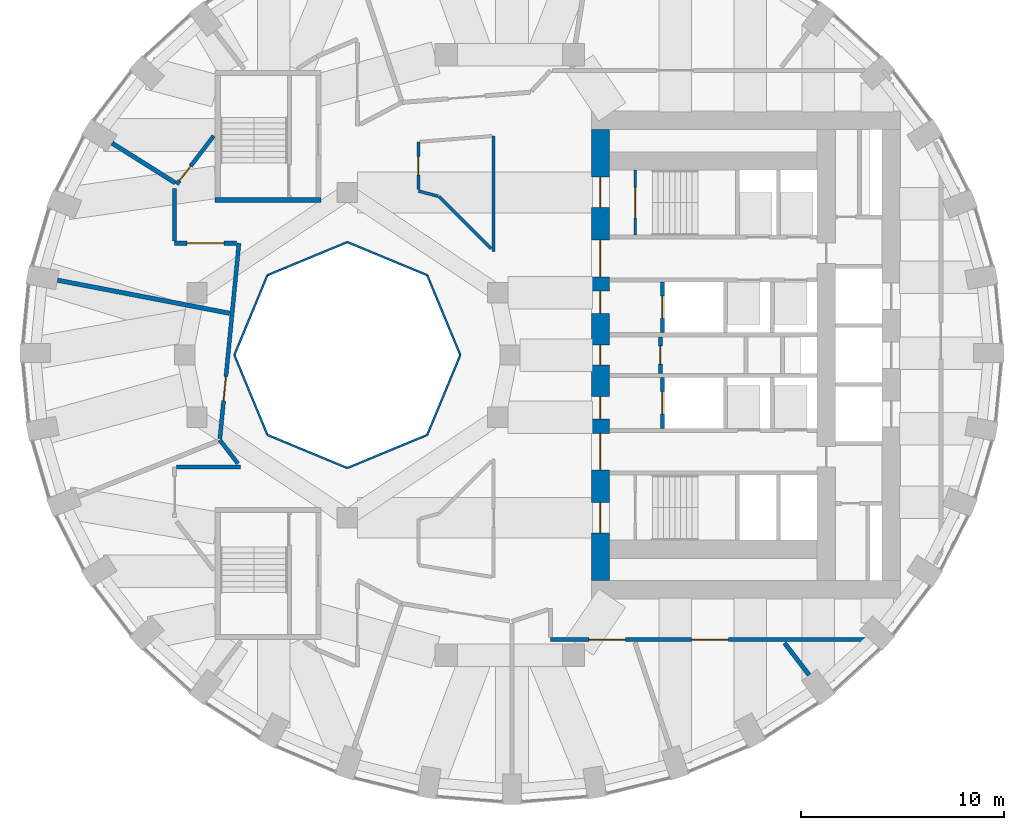
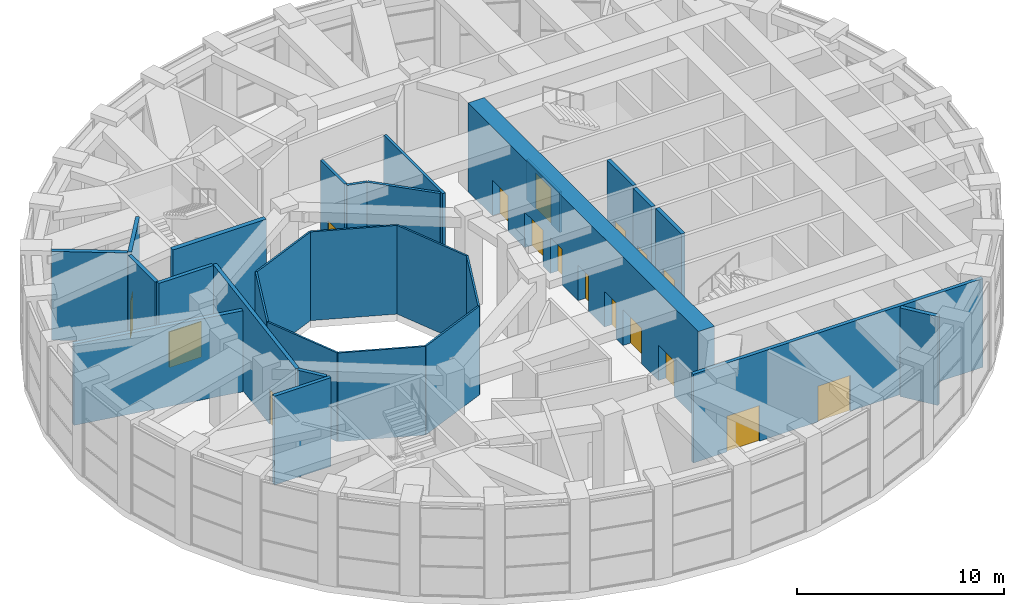
# One storey, part 12 of 17: 28 walls, 17 doors, 17 openings.
"""IFC4 building model written with IfcOpenShell, lengths in metres."""

from ifc_helpers import new_model, si_unit, direction, frame, frame_2d, origin, place, context, subcontext, project, spatial, rectangle, extrude, material, layer, layer_set, type_object, element, fill, save


model = new_model("IFC4")

# Units and contexts
model_context = context("Model", 3, precision=1e-05, world=origin(), true_north=direction((0.0, 1.0)))
body_context = subcontext(model_context, "Body", "Model", "MODEL_VIEW")
ifc_project = project(units=[si_unit("LENGTHUNIT", "METRE"), si_unit("AREAUNIT", "SQUARE_METRE"), si_unit("VOLUMEUNIT", "CUBIC_METRE"), si_unit("PLANEANGLEUNIT", "RADIAN"), si_unit("MASSUNIT", "GRAM", prefix="KILO")], contexts=[model_context])

# Site, building, storey
site_placement = place(None, origin())
site = spatial("IfcSite", under=ifc_project, at=site_placement, CompositionType="ELEMENT")
building_placement = place(site_placement, origin())
building = spatial("IfcBuilding", under=site, at=building_placement, Name="Taillehof Tower", CompositionType="ELEMENT")
storey_placement = place(building_placement, frame((0.0, 0.0, 139.60009765625)))
storey = spatial("IfcBuildingStorey", under=building, at=storey_placement, Name="L39", CompositionType="ELEMENT", Elevation=139.60009765625)

# Walls
ifc_material_1 = material(Name="Fire-resisting glass in steel frame", Category="steel")
ifc_layer_1 = layer(ifc_material_1, 0.10009765625)
ifc_layer_set_1 = layer_set([ifc_layer_1], Name="Atrium fire-resisting screen EI 60 100")
wall_type_1 = type_object("IfcWallType", Name="Atrium fire-resisting screen EI 60 100", PredefinedType="PARTITIONING", material=ifc_layer_set_1)
for number, where, z_axis, x_axis, name in (
    (1, (-2.44580078125, 0.0, 0.0), (0.0, 0.0, 1.0), (-0.382730523909, -0.923860025149, 0.0), "Atrium screen"),
    (2, (-4.07275390625, -3.92724609375, 0.0), (0.0, 0.0, 1.0), (-0.923860025149, -0.382730523909, 0.0), "Atrium screen"),
    (3, (-8.0, -5.55419921875, 0.0), (0.0, 0.0, 1.0), (-0.923860025149, 0.382730523909, 0.0), "Atrium screen"),
    (4, (-11.92724609375, -3.92724609375, 0.0), (0.0, 0.0, 1.0), (-0.382730523909, 0.923860025149, 0.0), "Atrium screen"),
    (5, (-13.55419921875, 0.0, 0.0), (0.0, 0.0, 1.0), (0.382730523909, 0.923860025149, 0.0), "Atrium screen"),
    (6, (-11.92724609375, 3.92724609375, 0.0), (0.0, 0.0, 1.0), (0.923860025149, 0.382730523909, 0.0), "Atrium screen"),
    (7, (-8.0, 5.55419921875, 0.0), (0.0, 0.0, 1.0), (0.923860025149, -0.382730523909, 0.0), "Atrium screen"),
    (8, (-4.07275390625, 3.92724609375, 0.0), (0.0, 0.0, 1.0), (0.382730523909, -0.923860025149, 0.0), "Atrium screen"),
):
    element("IfcWall", number, at=place(storey_placement, frame(where, z_axis=z_axis, x_axis=x_axis)), inside=storey, type_object=wall_type_1, Name=name, PredefinedType="PARTITIONING", context=body_context, shape_type="SweptSolid", body=[
        extrude(rectangle(XDim=4.2509765625, YDim=0.10009765625, at=frame_2d((2.12548828125, 0.0))), origin(), (0.0, 0.0, 1.0), 5.219970703125),
    ])

# Wall, opening, door
ifc_material_2 = material(Name="Calcium silicate masonry", Category="masonry")
ifc_layer_2 = layer(ifc_material_2, 0.199951171875)
ifc_layer_set_2 = layer_set([ifc_layer_2], Name="Compartment wall calcium silicate 200")
wall_type_2 = type_object("IfcWallType", Name="Compartment wall calcium silicate 200", PredefinedType="PARTITIONING", material=ifc_layer_set_2)
wall_1_placement = place(storey_placement, frame((7.39990234375, -0.89990234375, 0.0), z_axis=(0.0, 0.0, 1.0), x_axis=(0.0, 1.0, 0.0)))
wall_1 = element("IfcWall", 9, at=wall_1_placement, inside=storey, type_object=wall_type_2, Name="Compartment wall FW", PredefinedType="PARTITIONING", context=body_context, shape_type="SweptSolid", body=[
    extrude(rectangle(XDim=1.7998046875, YDim=0.199951171875, at=frame_2d((0.89990234375, 0.0))), origin(), (0.0, 0.0, 1.0), 5.219970703125),
])
opening_1_placement = place(wall_1_placement, frame((0.449951171875, 0.0, 0.0)))
opening_1 = element("IfcOpeningElement", 10, at=opening_1_placement, cuts=wall_1, Name="Opening D3912", PredefinedType="OPENING", context=body_context, shape_type="SweptSolid", body=[
    extrude(rectangle(XDim=0.89990234375, YDim=2.10009765625, at=frame_2d((0.449951171875, 1.050048828125))), frame((0.0, 0.10986328125, 0.0), z_axis=(0.0, -1.0, 0.0), x_axis=(1.0, 0.0, 0.0)), (0.0, 0.0, 1.0), 0.219970703125),
])
ifc_material_3 = material(Name="Steel-faced fire door", Category="steel")
door_type_1 = type_object("IfcDoorType", Name="Riser and service room door 900x2100", OperationType="SINGLE_SWING_LEFT", PredefinedType="DOOR", material=ifc_material_3)
door_1_placement = place(opening_1_placement, origin())
door_1 = element("IfcDoor", 11, at=door_1_placement, inside=storey, type_object=door_type_1, Name="Door Electrical Room", OperationType="SINGLE_SWING_RIGHT", OverallHeight=2.10009765625, OverallWidth=0.89990234375, PredefinedType="DOOR", context=body_context, shape_type="SweptSolid", body=[
    extrude(rectangle(XDim=0.89990234375, YDim=2.10009765625, at=frame_2d((0.449951171875, 1.050048828125))), frame((0.0, 0.02490234375, 0.0), z_axis=(0.0, -1.0, 0.0), x_axis=(1.0, 0.0, 0.0)), (0.0, 0.0, 1.0), 0.050048828125),
])
fill(opening_1, door_1)

# Walls
ifc_material_4 = material(Name="Gypsum board on steel studs, two layers each side", Category="steel")
ifc_layer_3 = layer(ifc_material_4, 0.199951171875)
ifc_layer_set_3 = layer_set([ifc_layer_3], Name="Compartment wall corridor 200")
wall_type_3 = type_object("IfcWallType", Name="Compartment wall corridor 200", PredefinedType="PARTITIONING", material=ifc_layer_set_3)
wall_2_placement = place(storey_placement, frame((-16.39990234375, -5.5, 0.0), z_axis=(0.0, 0.0, 1.0), x_axis=(1.0, 0.0, 0.0)))
element("IfcWall", 12, at=wall_2_placement, inside=storey, type_object=wall_type_3, Name="Compartment wall", PredefinedType="PARTITIONING", context=body_context, shape_type="SweptSolid", body=[
    extrude(rectangle(XDim=3.1455078125, YDim=0.199951171875, at=frame_2d((1.57275390625, 0.0))), origin(), (0.0, 0.0, 1.0), 5.219970703125),
])
wall_3_placement = place(storey_placement, frame((-13.37646484375, -5.34130859375, 0.0), z_axis=(0.0, 0.0, 1.0), x_axis=(-0.609870929466, 0.792500756714, 0.0)))
element("IfcWall", 13, at=wall_3_placement, inside=storey, type_object=wall_type_3, Name="Compartment wall", PredefinedType="PARTITIONING", context=body_context, shape_type="SweptSolid", body=[
    extrude(rectangle(XDim=1.47314453125, YDim=0.199951171875, at=frame_2d((0.736572265625, 0.0))), origin(), (0.0, 0.0, 1.0), 5.219970703125),
])

# Wall, opening, door
wall_4_placement = place(storey_placement, frame((-14.26904296875, -4.11376953125, 0.0), z_axis=(0.0, 0.0, 1.0), x_axis=(0.097281322051, 0.995256923804, 0.0)))
wall_4 = element("IfcWall", 14, at=wall_4_placement, inside=storey, type_object=wall_type_3, Name="Compartment wall", PredefinedType="PARTITIONING", context=body_context, shape_type="SweptSolid", body=[
    extrude(rectangle(XDim=9.65966796875, YDim=0.199951171875, at=frame_2d((4.829833984375, 0.0))), origin(), (0.0, 0.0, 1.0), 5.219970703125),
])
opening_2_placement = place(wall_4_placement, frame((1.872802734375, 0.0, 0.0)))
opening_2 = element("IfcOpeningElement", 15, at=opening_2_placement, cuts=wall_4, Name="Opening D3945", PredefinedType="OPENING", context=body_context, shape_type="SweptSolid", body=[
    extrude(rectangle(XDim=1.199951171875, YDim=2.10009765625, at=frame_2d((0.60009765625, 1.050048828125))), frame((0.0, 0.10986328125, 0.0), z_axis=(0.0, -1.0, 0.0), x_axis=(1.0, 0.0, 0.0)), (0.0, 0.0, 1.0), 0.219970703125),
])
ifc_material_5 = material(Name="Timber door leaf in steel frame", Category="steel")
door_type_2 = type_object("IfcDoorType", Name="Suite entrance door EI 30 1200 x 2100", OperationType="SINGLE_SWING_LEFT", PredefinedType="DOOR", material=ifc_material_5)
door_2_placement = place(opening_2_placement, origin())
door_2 = element("IfcDoor", 16, at=door_2_placement, inside=storey, type_object=door_type_2, Name="D3945", OperationType="SINGLE_SWING_RIGHT", OverallHeight=2.10009765625, OverallWidth=1.199951171875, PredefinedType="DOOR", context=body_context, shape_type="SweptSolid", body=[
    extrude(rectangle(XDim=1.199951171875, YDim=2.10009765625, at=frame_2d((0.60009765625, 1.050048828125))), frame((0.0, 0.02490234375, 0.0), z_axis=(0.0, -1.0, 0.0), x_axis=(1.0, 0.0, 0.0)), (0.0, 0.0, 1.0), 0.050048828125),
])
fill(opening_2, door_2)

wall_5_placement = place(storey_placement, frame((-13.449462890625, 5.5, 0.0), z_axis=(0.0, 0.0, 1.0), x_axis=(-1.0, 0.0, 0.0)))
wall_5 = element("IfcWall", 17, at=wall_5_placement, inside=storey, type_object=wall_type_3, Name="Compartment wall", PredefinedType="PARTITIONING", context=body_context, shape_type="SweptSolid", body=[
    extrude(rectangle(XDim=3.050537109375, YDim=0.199951171875, at=frame_2d((1.525390625, 0.0))), origin(), (0.0, 0.0, 1.0), 5.219970703125),
])
opening_3_placement = place(wall_5_placement, frame((0.625244140625, 0.0, 0.0)))
opening_3 = element("IfcOpeningElement", 18, at=opening_3_placement, cuts=wall_5, Name="Opening D3944", PredefinedType="OPENING", context=body_context, shape_type="SweptSolid", body=[
    extrude(rectangle(XDim=1.800048828125, YDim=2.10009765625, at=frame_2d((0.89990234375, 1.050048828125))), frame((0.0, 0.10986328125, 0.0), z_axis=(0.0, -1.0, 0.0), x_axis=(1.0, 0.0, 0.0)), (0.0, 0.0, 1.0), 0.219970703125),
])
ifc_material_6 = material(Name="Timber door leaf in steel frame", Category="steel")
door_type_3 = type_object("IfcDoorType", Name="Lounge and meeting room double door EI 30 1800 x 2100", OperationType="SINGLE_SWING_LEFT", PredefinedType="DOOR", material=ifc_material_6)
door_3_placement = place(opening_3_placement, origin())
door_3 = element("IfcDoor", 19, at=door_3_placement, inside=storey, type_object=door_type_3, Name="D3944", OperationType="DOUBLE_DOOR_SINGLE_SWING", OverallHeight=2.10009765625, OverallWidth=1.800048828125, PredefinedType="DOOR", context=body_context, shape_type="SweptSolid", body=[
    extrude(rectangle(XDim=1.800048828125, YDim=2.10009765625, at=frame_2d((0.89990234375, 1.050048828125))), frame((0.0, 0.02490234375, 0.0), z_axis=(0.0, -1.0, 0.0), x_axis=(1.0, 0.0, 0.0)), (0.0, 0.0, 1.0), 0.050048828125),
])
fill(opening_3, door_3)

# Wall
wall_6_placement = place(storey_placement, frame((-16.5, 5.60009765625, 0.0), z_axis=(0.0, 0.0, 1.0), x_axis=(0.0, 1.0, 0.0)))
element("IfcWall", 20, at=wall_6_placement, inside=storey, type_object=wall_type_3, Name="Compartment wall", PredefinedType="PARTITIONING", context=body_context, shape_type="SweptSolid", body=[
    extrude(rectangle(XDim=2.5869140625, YDim=0.199951171875, at=frame_2d((1.29345703125, 0.0))), origin(), (0.0, 0.0, 1.0), 5.219970703125),
])

# Wall, opening, door
wall_7_placement = place(storey_placement, frame((-16.39453125, 8.394775390625, 0.0), z_axis=(0.0, 0.0, 1.0), x_axis=(0.606773437409, 0.794874830181, 0.0)))
wall_7 = element("IfcWall", 21, at=wall_7_placement, inside=storey, type_object=wall_type_3, Name="Compartment wall", PredefinedType="PARTITIONING", context=body_context, shape_type="SweptSolid", body=[
    extrude(rectangle(XDim=3.000732421875, YDim=0.199951171875, at=frame_2d((1.50048828125, 0.0))), origin(), (0.0, 0.0, 1.0), 5.219970703125),
])
opening_4_placement = place(wall_7_placement, frame((0.235595703125, 0.0, 0.0)))
opening_4 = element("IfcOpeningElement", 22, at=opening_4_placement, cuts=wall_7, Name="Opening D3943", PredefinedType="OPENING", context=body_context, shape_type="SweptSolid", body=[
    extrude(rectangle(XDim=0.89990234375, YDim=2.10009765625, at=frame_2d((0.449951171875, 1.050048828125))), frame((0.0, 0.10986328125, 0.0), z_axis=(0.0, -1.0, 0.0), x_axis=(1.0, 0.0, 0.0)), (0.0, 0.0, 1.0), 0.219970703125),
])
ifc_material_7 = material(Name="Timber door leaf in steel frame", Category="steel")
door_type_4 = type_object("IfcDoorType", Name="Service room door EI 30 900 x 2100", OperationType="SINGLE_SWING_LEFT", PredefinedType="DOOR", material=ifc_material_7)
door_4_placement = place(opening_4_placement, origin())
door_4 = element("IfcDoor", 23, at=door_4_placement, inside=storey, type_object=door_type_4, Name="D3943", OperationType="SINGLE_SWING_LEFT", OverallHeight=2.10009765625, OverallWidth=0.89990234375, PredefinedType="DOOR", context=body_context, shape_type="SweptSolid", body=[
    extrude(rectangle(XDim=0.89990234375, YDim=2.10009765625, at=frame_2d((0.449951171875, 1.050048828125))), frame((0.0, 0.02490234375, 0.0), z_axis=(0.0, -1.0, 0.0), x_axis=(1.0, 0.0, 0.0)), (0.0, 0.0, 1.0), 0.050048828125),
])
fill(opening_4, door_4)

# Wall, openings, doors
wall_8_placement = place(storey_placement, frame((18.128173828125, -14.0, 0.0), z_axis=(0.0, 0.0, 1.0), x_axis=(-1.0, 0.0, 0.0)))
wall_8 = element("IfcWall", 24, at=wall_8_placement, inside=storey, type_object=wall_type_3, Name="Compartment wall", PredefinedType="PARTITIONING", context=body_context, shape_type="SweptSolid", body=[
    extrude(rectangle(XDim=16.128173828125, YDim=0.199951171875, at=frame_2d((8.06396484375, 0.0))), origin(), (0.0, 0.0, 1.0), 5.219970703125),
])
opening_5_placement = place(wall_8_placement, frame((12.447021484375, 0.0, 0.0)))
opening_5 = element("IfcOpeningElement", 25, at=opening_5_placement, cuts=wall_8, Name="Opening D3949", PredefinedType="OPENING", context=body_context, shape_type="SweptSolid", body=[
    extrude(rectangle(XDim=1.800048828125, YDim=2.10009765625, at=frame_2d((0.89990234375, 1.050048828125))), frame((0.0, 0.10986328125, 0.0), z_axis=(0.0, -1.0, 0.0), x_axis=(1.0, 0.0, 0.0)), (0.0, 0.0, 1.0), 0.219970703125),
])
opening_6_placement = place(wall_8_placement, frame((7.387451171875, 0.0, 0.0)))
opening_6 = element("IfcOpeningElement", 26, at=opening_6_placement, cuts=wall_8, Name="Opening D3950", PredefinedType="OPENING", context=body_context, shape_type="SweptSolid", body=[
    extrude(rectangle(XDim=1.800048828125, YDim=2.10009765625, at=frame_2d((0.89990234375, 1.050048828125))), frame((0.0, 0.10986328125, 0.0), z_axis=(0.0, -1.0, 0.0), x_axis=(1.0, 0.0, 0.0)), (0.0, 0.0, 1.0), 0.219970703125),
])
door_5_placement = place(opening_5_placement, origin())
door_5 = element("IfcDoor", 27, at=door_5_placement, inside=storey, type_object=door_type_3, Name="D3949", OperationType="DOUBLE_DOOR_SINGLE_SWING", OverallHeight=2.10009765625, OverallWidth=1.800048828125, PredefinedType="DOOR", context=body_context, shape_type="SweptSolid", body=[
    extrude(rectangle(XDim=1.800048828125, YDim=2.10009765625, at=frame_2d((0.89990234375, 1.050048828125))), frame((0.0, 0.02490234375, 0.0), z_axis=(0.0, -1.0, 0.0), x_axis=(1.0, 0.0, 0.0)), (0.0, 0.0, 1.0), 0.050048828125),
])
fill(opening_5, door_5)
door_6_placement = place(opening_6_placement, origin())
door_6 = element("IfcDoor", 28, at=door_6_placement, inside=storey, type_object=door_type_3, Name="D3950", OperationType="DOUBLE_DOOR_SINGLE_SWING", OverallHeight=2.10009765625, OverallWidth=1.800048828125, PredefinedType="DOOR", context=body_context, shape_type="SweptSolid", body=[
    extrude(rectangle(XDim=1.800048828125, YDim=2.10009765625, at=frame_2d((0.89990234375, 1.050048828125))), frame((0.0, 0.02490234375, 0.0), z_axis=(0.0, -1.0, 0.0), x_axis=(1.0, 0.0, 0.0)), (0.0, 0.0, 1.0), 0.050048828125),
])
fill(opening_6, door_6)

# Walls
ifc_material_8 = material(Name="Gypsum board on double steel studs with mineral wool", Category="steel")
ifc_layer_4 = layer(ifc_material_8, 0.219970703125)
ifc_layer_set_4 = layer_set([ifc_layer_4], Name="Compartment wall guest room 220")
wall_type_4 = type_object("IfcWallType", Name="Compartment wall guest room 220", PredefinedType="PARTITIONING", material=ifc_layer_set_4)
wall_9_placement = place(storey_placement, frame((-19.573486328125, 10.425537109375, 0.0), z_axis=(0.0, 0.0, 1.0), x_axis=(0.846321603921, -0.532672265785, 0.0)))
element("IfcWall", 29, at=wall_9_placement, inside=storey, type_object=wall_type_4, Name="Compartment wall", PredefinedType="PARTITIONING", context=body_context, shape_type="SweptSolid", body=[
    extrude(rectangle(XDim=3.674072265625, YDim=0.219970703125, at=frame_2d((1.8369140625, 0.0))), origin(), (0.0, 0.0, 1.0), 5.219970703125),
])
wall_10_placement = place(storey_placement, frame((-22.25732421875, 3.68310546875, 0.0), z_axis=(0.0, 0.0, 1.0), x_axis=(0.982024812959, -0.188751865511, 0.0)))
element("IfcWall", 30, at=wall_10_placement, inside=storey, type_object=wall_type_4, Name="Compartment wall", PredefinedType="PARTITIONING", context=body_context, shape_type="SweptSolid", body=[
    extrude(rectangle(XDim=8.6259765625, YDim=0.219970703125, at=frame_2d((4.31298828125, 0.0))), origin(), (0.0, 0.0, 1.0), 4.77001953125),
])
wall_11_placement = place(storey_placement, frame((14.7158203125, -15.7373046875, 0.0), z_axis=(0.0, 0.0, 1.0), x_axis=(-0.609984006336, 0.792413725281, 0.0)))
element("IfcWall", 31, at=wall_11_placement, inside=storey, type_object=wall_type_4, Name="Compartment wall", PredefinedType="PARTITIONING", context=body_context, shape_type="SweptSolid", body=[
    extrude(rectangle(XDim=1.986083984375, YDim=0.219970703125, at=frame_2d((0.9931640625, 0.0))), origin(), (0.0, 0.0, 1.0), 5.219970703125),
])
ifc_material_9 = material(Name="Gypsum board on steel studs, two layers each side", Category="steel")
ifc_layer_5 = layer(ifc_material_9, 0.14990234375)
ifc_layer_set_5 = layer_set([ifc_layer_5], Name="Compartment wall service room 150")
wall_type_5 = type_object("IfcWallType", Name="Compartment wall service room 150", PredefinedType="PARTITIONING", material=ifc_layer_set_5)
wall_12_placement = place(storey_placement, frame((-0.800048828125, 10.779296875, 0.0), z_axis=(0.0, 0.0, 1.0), x_axis=(0.0, -1.0, 0.0)))
element("IfcWall", 32, at=wall_12_placement, inside=storey, type_object=wall_type_5, Name="Compartment wall", PredefinedType="PARTITIONING", context=body_context, shape_type="SweptSolid", body=[
    extrude(rectangle(XDim=5.675537109375, YDim=0.14990234375, at=frame_2d((2.837890625, 0.0))), origin(), (0.0, 0.0, 1.0), 5.219970703125),
])
wall_13_placement = place(storey_placement, frame((-0.927490234375, 5.231201171875, 0.0), z_axis=(0.0, 0.0, 1.0), x_axis=(-0.707106781187, 0.707106781187, 0.0)))
element("IfcWall", 33, at=wall_13_placement, inside=storey, type_object=wall_type_5, Name="Compartment wall", PredefinedType="PARTITIONING", context=body_context, shape_type="SweptSolid", body=[
    extrude(rectangle(XDim=3.63330078125, YDim=0.14990234375, at=frame_2d((1.816650390625, 0.0))), origin(), (0.0, 0.0, 1.0), 5.219970703125),
])
wall_14_placement = place(storey_placement, frame((-3.53515625, 7.810546875, 0.0), z_axis=(0.0, 0.0, 1.0), x_axis=(-0.965921867197, 0.258833820183, 0.0)))
element("IfcWall", 34, at=wall_14_placement, inside=storey, type_object=wall_type_5, Name="Compartment wall", PredefinedType="PARTITIONING", context=body_context, shape_type="SweptSolid", body=[
    extrude(rectangle(XDim=0.998779296875, YDim=0.14990234375, at=frame_2d((0.49951171875, 0.0))), origin(), (0.0, 0.0, 1.0), 5.219970703125),
])

# Wall, opening, door
wall_15_placement = place(storey_placement, frame((-4.5, 8.149169921875, 0.0), z_axis=(0.0, 0.0, 1.0), x_axis=(0.0, 1.0, 0.0)))
wall_15 = element("IfcWall", 35, at=wall_15_placement, inside=storey, type_object=wall_type_5, Name="Compartment wall", PredefinedType="PARTITIONING", context=body_context, shape_type="SweptSolid", body=[
    extrude(rectangle(XDim=2.3349609375, YDim=0.14990234375, at=frame_2d((1.16748046875, 0.0))), origin(), (0.0, 0.0, 1.0), 5.219970703125),
])
opening_7_placement = place(wall_15_placement, frame((0.717529296875, 0.0, 0.0)))
opening_7 = element("IfcOpeningElement", 36, at=opening_7_placement, cuts=wall_15, Name="Opening D3952", PredefinedType="OPENING", context=body_context, shape_type="SweptSolid", body=[
    extrude(rectangle(XDim=0.89990234375, YDim=2.10009765625, at=frame_2d((0.449951171875, 1.050048828125))), frame((0.0, 0.0849609375, 0.0), z_axis=(0.0, -1.0, 0.0), x_axis=(1.0, 0.0, 0.0)), (0.0, 0.0, 1.0), 0.169921875),
])
door_7_placement = place(opening_7_placement, origin())
door_7 = element("IfcDoor", 37, at=door_7_placement, inside=storey, type_object=door_type_4, Name="D3952", OperationType="SINGLE_SWING_LEFT", OverallHeight=2.10009765625, OverallWidth=0.89990234375, PredefinedType="DOOR", context=body_context, shape_type="SweptSolid", body=[
    extrude(rectangle(XDim=0.89990234375, YDim=2.10009765625, at=frame_2d((0.449951171875, 1.050048828125))), frame((0.0, 0.02490234375, 0.0), z_axis=(0.0, -1.0, 0.0), x_axis=(1.0, 0.0, 0.0)), (0.0, 0.0, 1.0), 0.050048828125),
])
fill(opening_7, door_7)

# Wall, openings, doors
ifc_material_10 = material(Name="Concrete C80/95", Category="concrete")
ifc_layer_6 = layer(ifc_material_10, 0.89990234375)
ifc_layer_set_6 = layer_set([ifc_layer_6], Name="Core wall C80/95 900")
wall_type_6 = type_object("IfcWallType", Name="Core wall C80/95 900", PredefinedType="SHEAR", material=ifc_layer_set_6)
wall_16_placement = place(storey_placement, frame((4.449951171875, -11.10009765625, 0.0), z_axis=(0.0, 0.0, 1.0), x_axis=(0.0, 1.0, 0.0)))
wall_16 = element("IfcWall", 38, at=wall_16_placement, inside=storey, type_object=wall_type_6, Name="Core wall CW01", PredefinedType="SHEAR", context=body_context, shape_type="SweptSolid", body=[
    extrude(rectangle(XDim=22.2001953125, YDim=0.89990234375, at=frame_2d((11.10009765625, 0.0))), origin(), (0.0, 0.0, 1.0), 5.219970703125),
])
opening_8_placement = place(wall_16_placement, frame((2.35009765625, 0.0, 0.0)))
opening_8 = element("IfcOpeningElement", 39, at=opening_8_placement, cuts=wall_16, Name="Opening D3901", PredefinedType="OPENING", context=body_context, shape_type="SweptSolid", body=[
    extrude(rectangle(XDim=1.5, YDim=2.10009765625, at=frame_2d((0.75, 1.050048828125))), frame((0.0, 0.4599609375, 0.0), z_axis=(0.0, -1.0, 0.0), x_axis=(1.0, 0.0, 0.0)), (0.0, 0.0, 1.0), 0.919921875),
])
opening_9_placement = place(wall_16_placement, frame((5.449951171875, 0.0, 0.0)))
opening_9 = element("IfcOpeningElement", 40, at=opening_9_placement, cuts=wall_16, Name="Opening D3902", PredefinedType="OPENING", context=body_context, shape_type="SweptSolid", body=[
    extrude(rectangle(XDim=1.800048828125, YDim=2.10009765625, at=frame_2d((0.89990234375, 1.050048828125))), frame((0.0, 0.4599609375, 0.0), z_axis=(0.0, -1.0, 0.0), x_axis=(1.0, 0.0, 0.0)), (0.0, 0.0, 1.0), 0.919921875),
])
opening_10_placement = place(wall_16_placement, frame((7.949951171875, 0.0, 0.0)))
opening_10 = element("IfcOpeningElement", 41, at=opening_10_placement, cuts=wall_16, Name="Opening D3903", PredefinedType="OPENING", context=body_context, shape_type="SweptSolid", body=[
    extrude(rectangle(XDim=1.10009765625, YDim=2.10009765625, at=frame_2d((0.550048828125, 1.050048828125))), frame((0.0, 0.4599609375, 0.0), z_axis=(0.0, -1.0, 0.0), x_axis=(1.0, 0.0, 0.0)), (0.0, 0.0, 1.0), 0.919921875),
])
opening_11_placement = place(wall_16_placement, frame((10.60009765625, 0.0, 0.0)))
opening_11 = element("IfcOpeningElement", 42, at=opening_11_placement, cuts=wall_16, Name="Opening D3904", PredefinedType="OPENING", context=body_context, shape_type="SweptSolid", body=[
    extrude(rectangle(XDim=1.0, YDim=2.10009765625, at=frame_2d((0.5, 1.050048828125))), frame((0.0, 0.4599609375, 0.0), z_axis=(0.0, -1.0, 0.0), x_axis=(1.0, 0.0, 0.0)), (0.0, 0.0, 1.0), 0.919921875),
])
opening_12_placement = place(wall_16_placement, frame((13.14990234375, 0.0, 0.0)))
opening_12 = element("IfcOpeningElement", 43, at=opening_12_placement, cuts=wall_16, Name="Opening D3905", PredefinedType="OPENING", context=body_context, shape_type="SweptSolid", body=[
    extrude(rectangle(XDim=1.10009765625, YDim=2.10009765625, at=frame_2d((0.550048828125, 1.050048828125))), frame((0.0, 0.4599609375, 0.0), z_axis=(0.0, -1.0, 0.0), x_axis=(1.0, 0.0, 0.0)), (0.0, 0.0, 1.0), 0.919921875),
])
opening_13_placement = place(wall_16_placement, frame((14.949951171875, 0.0, 0.0)))
opening_13 = element("IfcOpeningElement", 44, at=opening_13_placement, cuts=wall_16, Name="Opening D3906", PredefinedType="OPENING", context=body_context, shape_type="SweptSolid", body=[
    extrude(rectangle(XDim=1.800048828125, YDim=2.10009765625, at=frame_2d((0.89990234375, 1.050048828125))), frame((0.0, 0.4599609375, 0.0), z_axis=(0.0, -1.0, 0.0), x_axis=(1.0, 0.0, 0.0)), (0.0, 0.0, 1.0), 0.919921875),
])
opening_14_placement = place(wall_16_placement, frame((18.35009765625, 0.0, 0.0)))
opening_14 = element("IfcOpeningElement", 45, at=opening_14_placement, cuts=wall_16, Name="Opening D3907", PredefinedType="OPENING", context=body_context, shape_type="SweptSolid", body=[
    extrude(rectangle(XDim=1.5, YDim=2.10009765625, at=frame_2d((0.75, 1.050048828125))), frame((0.0, 0.4599609375, 0.0), z_axis=(0.0, -1.0, 0.0), x_axis=(1.0, 0.0, 0.0)), (0.0, 0.0, 1.0), 0.919921875),
])
ifc_material_11 = material(Name="Steel-faced fire door", Category="steel")
door_type_5 = type_object("IfcDoorType", Name="Firefighting lobby door 1100x2100", OperationType="SINGLE_SWING_RIGHT", PredefinedType="DOOR", material=ifc_material_11)
door_8_placement = place(opening_10_placement, origin())
door_8 = element("IfcDoor", 46, at=door_8_placement, inside=storey, type_object=door_type_5, Name="Firefighting lobby door FFL-S", OperationType="SINGLE_SWING_RIGHT", OverallHeight=2.10009765625, OverallWidth=1.10009765625, PredefinedType="DOOR", context=body_context, shape_type="SweptSolid", body=[
    extrude(rectangle(XDim=1.10009765625, YDim=2.10009765625, at=frame_2d((0.550048828125, 1.050048828125))), frame((0.0, 0.02490234375, 0.0), z_axis=(0.0, -1.0, 0.0), x_axis=(1.0, 0.0, 0.0)), (0.0, 0.0, 1.0), 0.050048828125),
])
fill(opening_10, door_8)
door_9_placement = place(opening_12_placement, origin())
door_9 = element("IfcDoor", 47, at=door_9_placement, inside=storey, type_object=door_type_5, Name="Firefighting lobby door FFL-N", OperationType="SINGLE_SWING_LEFT", OverallHeight=2.10009765625, OverallWidth=1.10009765625, PredefinedType="DOOR", context=body_context, shape_type="SweptSolid", body=[
    extrude(rectangle(XDim=1.10009765625, YDim=2.10009765625, at=frame_2d((0.550048828125, 1.050048828125))), frame((0.0, 0.02490234375, 0.0), z_axis=(0.0, -1.0, 0.0), x_axis=(1.0, 0.0, 0.0)), (0.0, 0.0, 1.0), 0.050048828125),
])
fill(opening_12, door_9)
ifc_material_12 = material(Name="Steel-faced fire door", Category="steel")
door_type_6 = type_object("IfcDoorType", Name="Lift lobby door 1800x2100", OperationType="DOUBLE_DOOR_SINGLE_SWING", PredefinedType="DOOR", material=ifc_material_12)
door_10_placement = place(opening_9_placement, origin())
door_10 = element("IfcDoor", 48, at=door_10_placement, inside=storey, type_object=door_type_6, Name="Lift lobby door LL-S", OperationType="DOUBLE_DOOR_SINGLE_SWING", OverallHeight=2.10009765625, OverallWidth=1.800048828125, PredefinedType="DOOR", context=body_context, shape_type="SweptSolid", body=[
    extrude(rectangle(XDim=1.800048828125, YDim=2.10009765625, at=frame_2d((0.89990234375, 1.050048828125))), frame((0.0, 0.02490234375, 0.0), z_axis=(0.0, -1.0, 0.0), x_axis=(1.0, 0.0, 0.0)), (0.0, 0.0, 1.0), 0.050048828125),
])
fill(opening_9, door_10)
door_11_placement = place(opening_13_placement, origin())
door_11 = element("IfcDoor", 49, at=door_11_placement, inside=storey, type_object=door_type_6, Name="Lift lobby door LL-N", OperationType="DOUBLE_DOOR_SINGLE_SWING", OverallHeight=2.10009765625, OverallWidth=1.800048828125, PredefinedType="DOOR", context=body_context, shape_type="SweptSolid", body=[
    extrude(rectangle(XDim=1.800048828125, YDim=2.10009765625, at=frame_2d((0.89990234375, 1.050048828125))), frame((0.0, 0.02490234375, 0.0), z_axis=(0.0, -1.0, 0.0), x_axis=(1.0, 0.0, 0.0)), (0.0, 0.0, 1.0), 0.050048828125),
])
fill(opening_13, door_11)
ifc_material_13 = material(Name="Steel-faced fire door", Category="steel")
door_type_7 = type_object("IfcDoorType", Name="Service door 1000x2100", OperationType="SINGLE_SWING_RIGHT", PredefinedType="DOOR", material=ifc_material_13)
door_12_placement = place(opening_11_placement, origin())
door_12 = element("IfcDoor", 50, at=door_12_placement, inside=storey, type_object=door_type_7, Name="Service door SV", OperationType="SINGLE_SWING_RIGHT", OverallHeight=2.10009765625, OverallWidth=1.0, PredefinedType="DOOR", context=body_context, shape_type="SweptSolid", body=[
    extrude(rectangle(XDim=1.0, YDim=2.10009765625, at=frame_2d((0.5, 1.050048828125))), frame((0.0, 0.02490234375, 0.0), z_axis=(0.0, -1.0, 0.0), x_axis=(1.0, 0.0, 0.0)), (0.0, 0.0, 1.0), 0.050048828125),
])
fill(opening_11, door_12)
ifc_material_14 = material(Name="Steel-faced fire door", Category="steel")
door_type_8 = type_object("IfcDoorType", Name="Stair door 1500x2100", OperationType="DOUBLE_DOOR_SINGLE_SWING", PredefinedType="DOOR", material=ifc_material_14)
door_13_placement = place(opening_8_placement, origin())
door_13 = element("IfcDoor", 51, at=door_13_placement, inside=storey, type_object=door_type_8, Name="Stair door S2", OperationType="DOUBLE_DOOR_SINGLE_SWING", OverallHeight=2.10009765625, OverallWidth=1.5, PredefinedType="DOOR", context=body_context, shape_type="SweptSolid", body=[
    extrude(rectangle(XDim=1.5, YDim=2.10009765625, at=frame_2d((0.75, 1.050048828125))), frame((0.0, 0.02490234375, 0.0), z_axis=(0.0, -1.0, 0.0), x_axis=(1.0, 0.0, 0.0)), (0.0, 0.0, 1.0), 0.050048828125),
])
fill(opening_8, door_13)
door_14_placement = place(opening_14_placement, origin())
door_14 = element("IfcDoor", 52, at=door_14_placement, inside=storey, type_object=door_type_8, Name="Stair door S1", OperationType="DOUBLE_DOOR_SINGLE_SWING", OverallHeight=2.10009765625, OverallWidth=1.5, PredefinedType="DOOR", context=body_context, shape_type="SweptSolid", body=[
    extrude(rectangle(XDim=1.5, YDim=2.10009765625, at=frame_2d((0.75, 1.050048828125))), frame((0.0, 0.02490234375, 0.0), z_axis=(0.0, -1.0, 0.0), x_axis=(1.0, 0.0, 0.0)), (0.0, 0.0, 1.0), 0.050048828125),
])
fill(opening_14, door_14)

# Wall, opening, door
ifc_material_15 = material(Name="Concrete C50/60", Category="concrete")
ifc_layer_7 = layer(ifc_material_15, 0.199951171875)
ifc_layer_set_7 = layer_set([ifc_layer_7], Name="Shaft wall C50/60 200")
wall_type_7 = type_object("IfcWallType", Name="Shaft wall C50/60 200", PredefinedType="SHEAR", material=ifc_layer_set_7)
wall_17_placement = place(storey_placement, frame((7.5, 1.10009765625, 0.0), z_axis=(0.0, 0.0, 1.0), x_axis=(0.0, 1.0, 0.0)))
wall_17 = element("IfcWall", 53, at=wall_17_placement, inside=storey, type_object=wall_type_7, Name="Shaft wall SW", PredefinedType="SHEAR", context=body_context, shape_type="SweptSolid", body=[
    extrude(rectangle(XDim=2.5, YDim=0.199951171875, at=frame_2d((1.25, 0.0))), origin(), (0.0, 0.0, 1.0), 5.219970703125),
])
opening_15_placement = place(wall_17_placement, frame((0.699951171875, 0.0, 0.0)))
opening_15 = element("IfcOpeningElement", 54, at=opening_15_placement, cuts=wall_17, Name="Opening LD1", PredefinedType="OPENING", context=body_context, shape_type="SweptSolid", body=[
    extrude(rectangle(XDim=1.10009765625, YDim=2.10009765625, at=frame_2d((0.550048828125, 1.050048828125))), frame((0.0, 0.10986328125, 0.0), z_axis=(0.0, -1.0, 0.0), x_axis=(1.0, 0.0, 0.0)), (0.0, 0.0, 1.0), 0.219970703125),
])
ifc_material_16 = material(Name="Stainless steel", Category="steel")
door_type_9 = type_object("IfcDoorType", Name="Lift landing door LD1 1100x2100", OperationType="DOUBLE_DOOR_SLIDING", PredefinedType="DOOR", material=ifc_material_16)
door_15_placement = place(opening_15_placement, origin())
door_15 = element("IfcDoor", 55, at=door_15_placement, inside=storey, type_object=door_type_9, Name="Landing door FF1", OperationType="DOUBLE_DOOR_SLIDING", OverallHeight=2.10009765625, OverallWidth=1.10009765625, PredefinedType="DOOR", context=body_context, shape_type="SweptSolid", body=[
    extrude(rectangle(XDim=1.10009765625, YDim=2.10009765625, at=frame_2d((0.550048828125, 1.050048828125))), frame((0.0, 0.02490234375, 0.0), z_axis=(0.0, -1.0, 0.0), x_axis=(1.0, 0.0, 0.0)), (0.0, 0.0, 1.0), 0.050048828125),
])
fill(opening_15, door_15)

wall_18_placement = place(storey_placement, frame((7.5, -3.60009765625, 0.0), z_axis=(0.0, 0.0, 1.0), x_axis=(0.0, 1.0, 0.0)))
wall_18 = element("IfcWall", 56, at=wall_18_placement, inside=storey, type_object=wall_type_7, Name="Shaft wall SW", PredefinedType="SHEAR", context=body_context, shape_type="SweptSolid", body=[
    extrude(rectangle(XDim=2.5, YDim=0.199951171875, at=frame_2d((1.25, 0.0))), origin(), (0.0, 0.0, 1.0), 5.219970703125),
])
opening_16_placement = place(wall_18_placement, frame((0.699951171875, 0.0, 0.0)))
opening_16 = element("IfcOpeningElement", 57, at=opening_16_placement, cuts=wall_18, Name="Opening LD1", PredefinedType="OPENING", context=body_context, shape_type="SweptSolid", body=[
    extrude(rectangle(XDim=1.10009765625, YDim=2.10009765625, at=frame_2d((0.550048828125, 1.050048828125))), frame((0.0, 0.10986328125, 0.0), z_axis=(0.0, -1.0, 0.0), x_axis=(1.0, 0.0, 0.0)), (0.0, 0.0, 1.0), 0.219970703125),
])
door_16_placement = place(opening_16_placement, origin())
door_16 = element("IfcDoor", 58, at=door_16_placement, inside=storey, type_object=door_type_9, Name="Landing door FF2", OperationType="DOUBLE_DOOR_SLIDING", OverallHeight=2.10009765625, OverallWidth=1.10009765625, PredefinedType="DOOR", context=body_context, shape_type="SweptSolid", body=[
    extrude(rectangle(XDim=1.10009765625, YDim=2.10009765625, at=frame_2d((0.550048828125, 1.050048828125))), frame((0.0, 0.02490234375, 0.0), z_axis=(0.0, -1.0, 0.0), x_axis=(1.0, 0.0, 0.0)), (0.0, 0.0, 1.0), 0.050048828125),
])
fill(opening_16, door_16)

ifc_material_17 = material(Name="Concrete C50/60", Category="concrete")
ifc_layer_8 = layer(ifc_material_17, 0.1201171875)
ifc_layer_set_8 = layer_set([ifc_layer_8], Name="Stair lobby wall C50/60 120")
wall_type_8 = type_object("IfcWallType", Name="Stair lobby wall C50/60 120", PredefinedType="SHEAR", material=ifc_layer_set_8)
wall_19_placement = place(storey_placement, frame((6.159912109375, 5.89990234375, 0.0), z_axis=(0.0, 0.0, 1.0), x_axis=(0.0, 1.0, 0.0)))
wall_19 = element("IfcWall", 59, at=wall_19_placement, inside=storey, type_object=wall_type_8, Name="Compartment wall SW", PredefinedType="SHEAR", context=body_context, shape_type="SweptSolid", body=[
    extrude(rectangle(XDim=3.2001953125, YDim=0.1201171875, at=frame_2d((1.60009765625, 0.0))), origin(), (0.0, 0.0, 1.0), 2.378173828125),
])
opening_17_placement = place(wall_19_placement, frame((0.85009765625, 0.0, 0.0)))
opening_17 = element("IfcOpeningElement", 60, at=opening_17_placement, cuts=wall_19, Name="Opening D3908", PredefinedType="OPENING", context=body_context, shape_type="SweptSolid", body=[
    extrude(rectangle(XDim=1.5, YDim=2.10009765625, at=frame_2d((0.75, 1.050048828125))), frame((0.0, 0.070068359375, 0.0), z_axis=(0.0, -1.0, 0.0), x_axis=(1.0, 0.0, 0.0)), (0.0, 0.0, 1.0), 0.14013671875),
])
door_17_placement = place(opening_17_placement, origin())
door_17 = element("IfcDoor", 61, at=door_17_placement, inside=storey, type_object=door_type_8, Name="Stair lobby door S1", OperationType="DOUBLE_DOOR_SINGLE_SWING", OverallHeight=2.10009765625, OverallWidth=1.5, PredefinedType="DOOR", context=body_context, shape_type="SweptSolid", body=[
    extrude(rectangle(XDim=1.5, YDim=2.10009765625, at=frame_2d((0.75, 1.050048828125))), frame((0.0, 0.02490234375, 0.0), z_axis=(0.0, -1.0, 0.0), x_axis=(1.0, 0.0, 0.0)), (0.0, 0.0, 1.0), 0.050048828125),
])
fill(opening_17, door_17)

# Wall
ifc_material_18 = material(Name="Concrete C50/60", Category="concrete")
ifc_layer_9 = layer(ifc_material_18, 0.25)
ifc_layer_set_9 = layer_set([ifc_layer_9], Name="Stair wall C50/60 250")
wall_type_9 = type_object("IfcWallType", Name="Stair wall C50/60 250", PredefinedType="SHEAR", material=ifc_layer_set_9)
wall_20_placement = place(storey_placement, frame((-14.5, 7.625, -0.41015625), z_axis=(0.0, 0.0, 1.0), x_axis=(1.0, 0.0, 0.0)))
element("IfcWall", 62, at=wall_20_placement, inside=storey, type_object=wall_type_9, Name="Stair wall SC", PredefinedType="SHEAR", context=body_context, shape_type="SweptSolid", body=[
    extrude(rectangle(XDim=5.199951171875, YDim=0.25, at=frame_2d((2.60009765625, 0.0))), origin(), (0.0, 0.0, 1.0), 5.630126953125),
])

save(model, "model.ifc")
